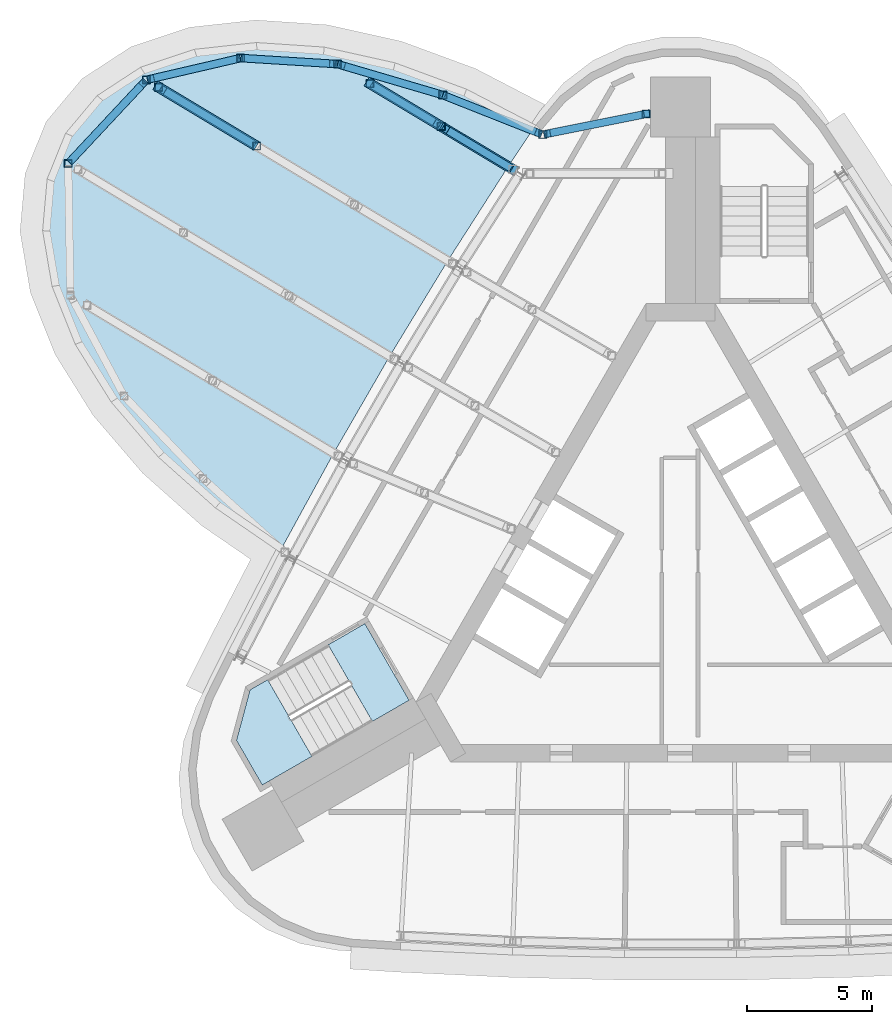
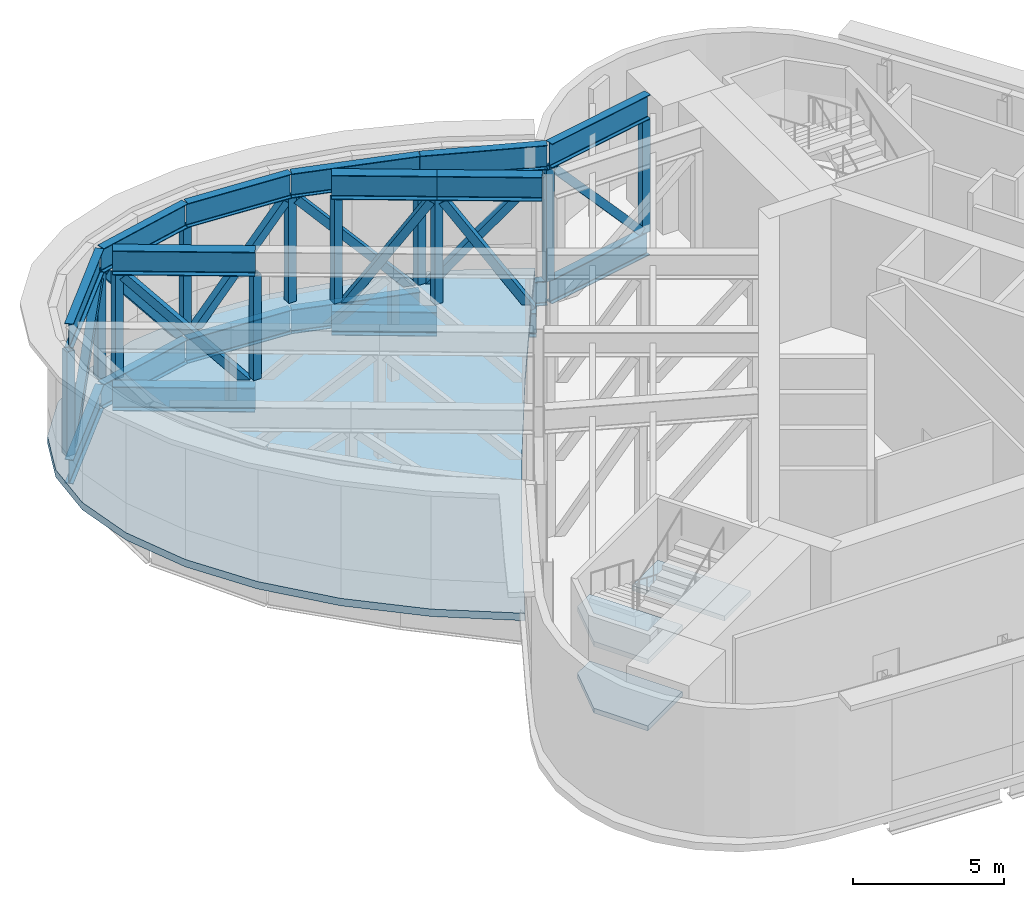
# One storey, part 5 of 11: 38 members, 4 slabs, 1 element without a shape of its own.
"""IFC4 building model written with IfcOpenShell, lengths in metres."""

from ifc_helpers import new_model, si_unit, direction, frame, origin, origin_2d, place, context, subcontext, project, spatial, polyline, hollow_rectangle, i_section, outline, extrude, material, layer, layer_set, material_profile, profile_set, type_object, element, aggregate, save


model = new_model("IFC4")

# Units and contexts
model_context = context("Model", 3, precision=1e-05, world=origin(), true_north=direction((0.0, 1.0)))
body_context = subcontext(model_context, "Body", "Model", "MODEL_VIEW")
ifc_project = project(units=[si_unit("LENGTHUNIT", "METRE"), si_unit("AREAUNIT", "SQUARE_METRE"), si_unit("VOLUMEUNIT", "CUBIC_METRE"), si_unit("PLANEANGLEUNIT", "RADIAN"), si_unit("MASSUNIT", "GRAM", prefix="KILO")], contexts=[model_context])

# Site, building, storey
site_placement = place(None, origin())
site = spatial("IfcSite", under=ifc_project, at=site_placement, CompositionType="ELEMENT")
building_placement = place(site_placement, origin())
building = spatial("IfcBuilding", under=site, at=building_placement, Name="Noor Cloister Tower", CompositionType="ELEMENT")
storey_placement = place(building_placement, frame((0.0, 0.0, 258.0)))
storey = spatial("IfcBuildingStorey", under=building, at=storey_placement, Name="L66", CompositionType="ELEMENT", Elevation=258.0)

# Members
ifc_material_1 = material(Name="Steel ASTM A992 Gr 50", Category="steel")
ifc_material_profile_1 = material_profile(ifc_material_1, i_section(OverallWidth=0.300048828125, OverallDepth=0.97998046875, WebThickness=0.0166015625, FlangeThickness=0.026123046875, FilletRadius=0.02978515625, at=origin_2d()), Name="W1000x249")
ifc_profile_set_1 = profile_set([ifc_material_profile_1], Name="Steel ASTM A992 Gr 50")
member_type_1 = type_object("IfcMemberType", Name="Pod ring chord W1000x249", PredefinedType="CHORD", material=ifc_profile_set_1)
member_1_placement = place(storey_placement, frame((-1.25439453125, 19.083984375, -0.7900390625), z_axis=(-0.98055019888, -0.196268457672, 0.0), x_axis=(0.196268457672, -0.98055019888, 0.0)))
element("IfcMember", 1, at=member_1_placement, inside=storey, type_object=member_type_1, Name="Pod truss 5 bottom chord ring 1", PredefinedType="CHORD", context=body_context, shape_type="SweptSolid", body=[
    extrude(i_section(OverallWidth=0.300048828125, OverallDepth=0.97998046875, WebThickness=0.0166015625, FlangeThickness=0.026123046875, FilletRadius=0.02978515625, at=origin_2d()), origin(), (0.0, 0.0, 1.0), 4.315185546875),
])
member_2_placement = place(storey_placement, frame((-1.2294921875, 19.0888671875, 4.7099609375), z_axis=(-0.980554706926, -0.196245934289, 0.0), x_axis=(0.196245934289, -0.980554706926, 0.0)))
element("IfcMember", 2, at=member_2_placement, inside=storey, type_object=member_type_1, Name="Pod truss 5 top chord ring 1", PredefinedType="CHORD", context=body_context, shape_type="SweptSolid", body=[
    extrude(i_section(OverallWidth=0.300048828125, OverallDepth=0.97998046875, WebThickness=0.0166015625, FlangeThickness=0.026123046875, FilletRadius=0.02978515625, at=origin_2d()), origin(), (0.0, 0.0, 1.0), 4.340576171875),
])
for number, where, z_axis, x_axis, name in (
    (3, (-5.570556640625, 18.24462890625, -0.7900390625), (-0.92975961676, 0.368167156387, 0.0), (-0.368167156387, -0.92975961676, 0.0), "Pod truss 5 bottom chord ring 2"),
    (4, (-5.570556640625, 18.24462890625, 4.7099609375), (-0.92975961676, 0.368167156387, 0.0), (-0.368167156387, -0.92975961676, 0.0), "Pod truss 5 top chord ring 2"),
):
    element("IfcMember", number, at=place(storey_placement, frame(where, z_axis=z_axis, x_axis=x_axis)), inside=storey, type_object=member_type_1, Name=name, PredefinedType="CHORD", context=body_context, shape_type="SweptSolid", body=[
        extrude(i_section(OverallWidth=0.300048828125, OverallDepth=0.97998046875, WebThickness=0.0166015625, FlangeThickness=0.026123046875, FilletRadius=0.02978515625, at=origin_2d()), origin(), (0.0, 0.0, 1.0), 4.260009765625),
    ])
for number, where, z_axis, x_axis, name in (
    (5, (-9.54443359375, 19.817626953125, -0.7900390625), (-0.959438233201, 0.281918918613, 0.0), (-0.281918918613, -0.959438233201, 0.0), "Pod truss 5 bottom chord ring 3"),
    (6, (-9.54443359375, 19.817626953125, 4.7099609375), (-0.959438233201, 0.281918918613, 0.0), (-0.281918918613, -0.959438233201, 0.0), "Pod truss 5 top chord ring 3"),
):
    element("IfcMember", number, at=place(storey_placement, frame(where, z_axis=z_axis, x_axis=x_axis)), inside=storey, type_object=member_type_1, Name=name, PredefinedType="CHORD", context=body_context, shape_type="SweptSolid", body=[
        extrude(i_section(OverallWidth=0.300048828125, OverallDepth=0.97998046875, WebThickness=0.0166015625, FlangeThickness=0.026123046875, FilletRadius=0.02978515625, at=origin_2d()), origin(), (0.0, 0.0, 1.0), 4.381103515625),
    ])
for number, where, z_axis, x_axis, name in (
    (7, (-13.781005859375, 21.058349609375, -0.7900390625), (-0.998057512418, 0.062299292982, 0.0), (-0.062299292982, -0.998057512418, 0.0), "Pod truss 5 bottom chord ring 4"),
    (8, (-13.781005859375, 21.058349609375, 4.7099609375), (-0.998057512418, 0.062299292982, 0.0), (-0.062299292982, -0.998057512418, 0.0), "Pod truss 5 top chord ring 4"),
):
    element("IfcMember", number, at=place(storey_placement, frame(where, z_axis=z_axis, x_axis=x_axis)), inside=storey, type_object=member_type_1, Name=name, PredefinedType="CHORD", context=body_context, shape_type="SweptSolid", body=[
        extrude(i_section(OverallWidth=0.300048828125, OverallDepth=0.97998046875, WebThickness=0.0166015625, FlangeThickness=0.026123046875, FilletRadius=0.02978515625, at=origin_2d()), origin(), (0.0, 0.0, 1.0), 3.848388671875),
    ])
for number, where, z_axis, x_axis, name in (
    (9, (-17.665283203125, 21.29443359375, -0.7900390625), (-0.974153316105, -0.225887841023, 0.0), (0.225887841023, -0.974153316105, 0.0), "Pod truss 5 bottom chord ring 5"),
    (10, (-17.665283203125, 21.29443359375, 4.7099609375), (-0.974153316105, -0.225887841023, 0.0), (0.225887841023, -0.974153316105, 0.0), "Pod truss 5 top chord ring 5"),
):
    element("IfcMember", number, at=place(storey_placement, frame(where, z_axis=z_axis, x_axis=x_axis)), inside=storey, type_object=member_type_1, Name=name, PredefinedType="CHORD", context=body_context, shape_type="SweptSolid", body=[
        extrude(i_section(OverallWidth=0.300048828125, OverallDepth=0.97998046875, WebThickness=0.0166015625, FlangeThickness=0.026123046875, FilletRadius=0.02978515625, at=origin_2d()), origin(), (0.0, 0.0, 1.0), 3.814208984375),
    ])
for number, where, z_axis, x_axis, name in (
    (11, (-21.456787109375, 20.38916015625, -0.7900390625), (-0.68301845081, -0.730401119832, 0.0), (0.730401119832, -0.68301845081, 0.0), "Pod truss 5 bottom chord ring 6"),
    (12, (-21.456787109375, 20.38916015625, 4.7099609375), (-0.68301845081, -0.730401119832, 0.0), (0.730401119832, -0.68301845081, 0.0), "Pod truss 5 top chord ring 6"),
):
    element("IfcMember", number, at=place(storey_placement, frame(where, z_axis=z_axis, x_axis=x_axis)), inside=storey, type_object=member_type_1, Name=name, PredefinedType="CHORD", context=body_context, shape_type="SweptSolid", body=[
        extrude(i_section(OverallWidth=0.300048828125, OverallDepth=0.97998046875, WebThickness=0.0166015625, FlangeThickness=0.026123046875, FilletRadius=0.02978515625, at=origin_2d()), origin(), (0.0, 0.0, 1.0), 4.482666015625),
    ])
ifc_material_2 = material(Name="Steel ASTM A992 Gr 50", Category="steel")
ifc_material_profile_2 = material_profile(ifc_material_2, i_section(OverallWidth=0.40087890625, OverallDepth=0.98291015625, WebThickness=0.0166015625, FlangeThickness=0.027099609375, FilletRadius=0.030029296875, at=origin_2d()), Name="W1000x296")
ifc_profile_set_2 = profile_set([ifc_material_profile_2], Name="Steel ASTM A992 Gr 50")
member_type_2 = type_object("IfcMemberType", Name="Pod truss chord W1000x296", PredefinedType="CHORD", material=ifc_profile_set_2)
member_3_placement = place(storey_placement, frame((-6.76025390625, 16.8564453125, -0.79150390625), z_axis=(-0.857564535203, 0.514376387446, 0.0), x_axis=(-0.514376387446, -0.857564535203, 0.0)))
element("IfcMember", 13, at=member_3_placement, inside=storey, type_object=member_type_2, Name="Pod truss 5 bottom chord line 1 cantilever 1", PredefinedType="CHORD", context=body_context, shape_type="SweptSolid", body=[
    extrude(i_section(OverallWidth=0.40087890625, OverallDepth=0.98291015625, WebThickness=0.0166015625, FlangeThickness=0.027099609375, FilletRadius=0.030029296875, at=origin_2d()), origin(), (0.0, 0.0, 1.0), 3.30859375),
])
member_4_placement = place(storey_placement, frame((-6.60302734375, 16.76220703125, 4.70849609375), z_axis=(-0.857573111513, 0.514362088815, 0.0), x_axis=(-0.514362088815, -0.857573111513, 0.0)))
element("IfcMember", 14, at=member_4_placement, inside=storey, type_object=member_type_2, Name="Pod truss 5 top chord line 1 cantilever 1", PredefinedType="CHORD", context=body_context, shape_type="SweptSolid", body=[
    extrude(i_section(OverallWidth=0.40087890625, OverallDepth=0.98291015625, WebThickness=0.0166015625, FlangeThickness=0.027099609375, FilletRadius=0.030029296875, at=origin_2d()), origin(), (0.0, 0.0, 1.0), 3.491943359375),
])
for number, where, z_axis, x_axis, name in (
    (15, (-9.59765625, 18.558349609375, -0.79150390625), (-0.857560770085, 0.514382664571, 0.0), (-0.514382664571, -0.857560770085, 0.0), "Pod truss 5 bottom chord line 1 cantilever 2"),
    (16, (-9.59765625, 18.558349609375, 4.70849609375), (-0.857560770085, 0.514382664571, 0.0), (-0.514382664571, -0.857560770085, 0.0), "Pod truss 5 top chord line 1 cantilever 2"),
):
    element("IfcMember", number, at=place(storey_placement, frame(where, z_axis=z_axis, x_axis=x_axis)), inside=storey, type_object=member_type_2, Name=name, PredefinedType="CHORD", context=body_context, shape_type="SweptSolid", body=[
        extrude(i_section(OverallWidth=0.40087890625, OverallDepth=0.98291015625, WebThickness=0.0166015625, FlangeThickness=0.027099609375, FilletRadius=0.030029296875, at=origin_2d()), origin(), (0.0, 0.0, 1.0), 3.492431640625),
    ])
for number, where, z_axis, x_axis, name in (
    (17, (-17.0048828125, 17.771240234375, -0.79150390625), (-0.857583970254, 0.514343984085, 0.0), (-0.514343984085, -0.857583970254, 0.0), "Pod truss 5 bottom chord line 2 cantilever 3"),
    (18, (-17.0048828125, 17.771240234375, 4.70849609375), (-0.857583970254, 0.514343984085, 0.0), (-0.514343984085, -0.857583970254, 0.0), "Pod truss 5 top chord line 2 cantilever 3"),
):
    element("IfcMember", number, at=place(storey_placement, frame(where, z_axis=z_axis, x_axis=x_axis)), inside=storey, type_object=member_type_2, Name=name, PredefinedType="CHORD", context=body_context, shape_type="SweptSolid", body=[
        extrude(i_section(OverallWidth=0.40087890625, OverallDepth=0.98291015625, WebThickness=0.0166015625, FlangeThickness=0.027099609375, FilletRadius=0.030029296875, at=origin_2d()), origin(), (0.0, 0.0, 1.0), 4.7314453125),
    ])
ifc_material_3 = material(Name="Steel ASTM A500 Gr C", Category="steel")
ifc_material_profile_3 = material_profile(ifc_material_3, hollow_rectangle(XDim=0.304931640625, YDim=0.304931640625, WallThickness=0.0126953125, at=origin_2d()), Name="HSS304.8x304.8x12.7")
ifc_profile_set_3 = profile_set([ifc_material_profile_3], Name="Steel ASTM A500 Gr C")
member_type_3 = type_object("IfcMemberType", Name="Pod truss diagonal HSS304.8x304.8x12.7", PredefinedType="BRACE", material=ifc_profile_set_3)
member_5_placement = place(storey_placement, frame((-1.572509765625, 19.020263671875, -0.19873046875), z_axis=(-0.651433504334, -0.130388137343, 0.747417770106), x_axis=(0.196262944768, -0.980551302335, 0.0)))
element("IfcMember", 19, at=member_5_placement, inside=storey, type_object=member_type_3, Name="Pod truss 5 diagonal ring 1", PredefinedType="BRACE", context=body_context, shape_type="SweptSolid", body=[
    extrude(hollow_rectangle(XDim=0.304931640625, YDim=0.304931640625, WallThickness=0.0126953125, at=origin_2d()), origin(), (0.0, 0.0, 1.0), 5.7763671875),
])
member_6_placement = place(storey_placement, frame((-5.712890625, 18.301025390625, 4.117431640625), z_axis=(-0.624854959357, 0.247444910149, -0.740491253297), x_axis=(-0.368185433275, -0.929752379252, 0.0)))
element("IfcMember", 20, at=member_6_placement, inside=storey, type_object=member_type_3, Name="Pod truss 5 diagonal ring 2", PredefinedType="BRACE", context=body_context, shape_type="SweptSolid", body=[
    extrude(hollow_rectangle(XDim=0.304931640625, YDim=0.304931640625, WallThickness=0.0126953125, at=origin_2d()), origin(), (0.0, 0.0, 1.0), 5.8271484375),
])
member_7_placement = place(storey_placement, frame((-9.727294921875, 19.871337890625, -0.196044921875), z_axis=(-0.653339977829, 0.191963707155, 0.732322885417), x_axis=(-0.281902602872, -0.959443027227, 0.0)))
element("IfcMember", 21, at=member_7_placement, inside=storey, type_object=member_type_3, Name="Pod truss 5 diagonal ring 3", PredefinedType="BRACE", context=body_context, shape_type="SweptSolid", body=[
    extrude(hollow_rectangle(XDim=0.304931640625, YDim=0.304931640625, WallThickness=0.0126953125, at=origin_2d()), origin(), (0.0, 0.0, 1.0), 5.888427734375),
])
member_8_placement = place(storey_placement, frame((-13.961181640625, 21.06982421875, 4.124267578125), z_axis=(-0.626704190832, 0.039067502265, -0.778277320407), x_axis=(-0.06221725437, -0.998062629928, 0.0)))
element("IfcMember", 22, at=member_8_placement, inside=storey, type_object=member_type_3, Name="Pod truss 5 diagonal ring 4", PredefinedType="BRACE", context=body_context, shape_type="SweptSolid", body=[
    extrude(hollow_rectangle(XDim=0.304931640625, YDim=0.304931640625, WallThickness=0.0126953125, at=origin_2d()), origin(), (0.0, 0.0, 1.0), 5.561767578125),
])
member_9_placement = place(storey_placement, frame((-17.836181640625, 21.2548828125, -0.204345703125), z_axis=(-0.611106587114, -0.141696963274, 0.778762293505), x_axis=(0.22587700042, -0.974155829773, 0.0)))
element("IfcMember", 23, at=member_9_placement, inside=storey, type_object=member_type_3, Name="Pod truss 5 diagonal ring 5", PredefinedType="BRACE", context=body_context, shape_type="SweptSolid", body=[
    extrude(hollow_rectangle(XDim=0.304931640625, YDim=0.304931640625, WallThickness=0.0126953125, at=origin_2d()), origin(), (0.0, 0.0, 1.0), 5.558349609375),
])
member_10_placement = place(storey_placement, frame((-21.560302734375, 20.2783203125, 4.113525390625), z_axis=(-0.476543481441, -0.509558381349, -0.716419267115), x_axis=(0.730371635347, -0.683049979343, 0.0)))
element("IfcMember", 24, at=member_10_placement, inside=storey, type_object=member_type_3, Name="Pod truss 5 diagonal ring 6", PredefinedType="BRACE", context=body_context, shape_type="SweptSolid", body=[
    extrude(hollow_rectangle(XDim=0.304931640625, YDim=0.304931640625, WallThickness=0.0126953125, at=origin_2d()), origin(), (0.0, 0.0, 1.0), 6.011962890625),
])
for number, where, z_axis, x_axis, name in (
    (25, (-6.903076171875, 16.942138671875, -0.21435546875), (-0.481039971984, 0.288540267445, 0.827855699634), (-0.514386014751, -0.857558760569, 0.0), "Pod truss 5 diagonal line 1 cantilever 1"),
    (26, (-9.76708984375, 18.659912109375, 4.13134765625), (-0.481039971984, 0.288540267445, -0.827855699634), (-0.514386014751, -0.857558760569, 0.0), "Pod truss 5 diagonal line 1 cantilever 2"),
):
    element("IfcMember", number, at=place(storey_placement, frame(where, z_axis=z_axis, x_axis=x_axis)), inside=storey, type_object=member_type_3, Name=name, PredefinedType="BRACE", context=body_context, shape_type="SweptSolid", body=[
        extrude(hollow_rectangle(XDim=0.304931640625, YDim=0.304931640625, WallThickness=0.0126953125, at=origin_2d()), origin(), (0.0, 0.0, 1.0), 5.249267578125),
    ])
member_11_placement = place(storey_placement, frame((-17.17431640625, 17.872802734375, -0.193603515625), z_axis=(-0.597727601525, 0.358530811612, 0.717061623223), x_axis=(-0.514384193326, -0.857559853104, 0.0)))
element("IfcMember", 27, at=member_11_placement, inside=storey, type_object=member_type_3, Name="Pod truss 5 diagonal line 2 cantilever 3", PredefinedType="BRACE", context=body_context, shape_type="SweptSolid", body=[
    extrude(hollow_rectangle(XDim=0.304931640625, YDim=0.304931640625, WallThickness=0.0126953125, at=origin_2d()), origin(), (0.0, 0.0, 1.0), 6.00244140625),
])
ifc_material_4 = material(Name="Steel ASTM A500 Gr C", Category="steel")
ifc_material_profile_4 = material_profile(ifc_material_4, hollow_rectangle(XDim=0.304931640625, YDim=0.304931640625, WallThickness=0.0126953125, at=origin_2d()), Name="HSS304.8x304.8x12.7")
ifc_profile_set_4 = profile_set([ifc_material_profile_4], Name="Steel ASTM A500 Gr C")
member_type_4 = type_object("IfcMemberType", Name="Pod truss post HSS304.8x304.8x12.7", PredefinedType="POST", material=ifc_profile_set_4)
for number, where, z_axis, x_axis, name in (
    (28, (-1.37890625, 19.05908203125, -0.300048828125), (0.0, 0.0, 1.0), (1.0, 0.0, 0.0), "Pod truss 5 post ring node 0"),
    (29, (-5.529296875, 18.228271484375, -0.300048828125), (0.0, 0.0, 1.0), (1.0, 0.0, 0.0), "Pod truss 5 post ring node 1"),
    (30, (-9.53759765625, 19.815673828125, -0.300048828125), (0.0, 0.0, 1.0), (1.0, 0.0, 0.0), "Pod truss 5 post ring node 2"),
    (31, (-13.76416015625, 21.057373046875, -0.300048828125), (0.0, 0.0, 1.0), (1.0, 0.0, 0.0), "Pod truss 5 post ring node 3"),
    (32, (-17.643798828125, 21.299560546875, -0.300048828125), (0.0, 0.0, 1.0), (1.0, 0.0, 0.0), "Pod truss 5 post ring node 4"),
    (33, (-21.425537109375, 20.422607421875, -0.300048828125), (0.0, 0.0, 1.0), (1.0, 0.0, 0.0), "Pod truss 5 post ring node 5"),
    (34, (-24.56005859375, 17.070556640625, -0.300048828125), (0.0, 0.0, 1.0), (1.0, 0.0, 0.0), "Pod truss 5 post ring node 6"),
):
    element("IfcMember", number, at=place(storey_placement, frame(where, z_axis=z_axis, x_axis=x_axis)), inside=storey, type_object=member_type_4, Name=name, PredefinedType="POST", context=body_context, shape_type="SweptSolid", body=[
        extrude(hollow_rectangle(XDim=0.304931640625, YDim=0.304931640625, WallThickness=0.0126953125, at=origin_2d()), origin(), (0.0, 0.0, 1.0), 4.52001953125),
    ])
for number, where, z_axis, x_axis, name in (
    (35, (-9.59765625, 18.558349609375, -0.300048828125), (0.0, 0.0, 1.0), (1.0, 0.0, 0.0), "Pod truss 5 post line 1 cantilever 2"),
    (36, (-12.461669921875, 20.276123046875, -0.300048828125), (0.0, 0.0, 1.0), (1.0, 0.0, 0.0), "Pod truss 5 post line 1 cantilever 3"),
    (37, (-17.0048828125, 17.771240234375, -0.300048828125), (0.0, 0.0, 1.0), (1.0, 0.0, 0.0), "Pod truss 5 post line 2 cantilever 3"),
    (38, (-20.931640625, 20.12646484375, -0.300048828125), (0.0, 0.0, 1.0), (1.0, 0.0, 0.0), "Pod truss 5 post line 2 cantilever 4"),
):
    element("IfcMember", number, at=place(storey_placement, frame(where, z_axis=z_axis, x_axis=x_axis)), inside=storey, type_object=member_type_4, Name=name, PredefinedType="POST", context=body_context, shape_type="SweptSolid", body=[
        extrude(hollow_rectangle(XDim=0.304931640625, YDim=0.304931640625, WallThickness=0.0126953125, at=origin_2d()), origin(), (0.0, 0.0, 1.0), 4.51708984375),
    ])

# Slab
ifc_material_5 = material(Name="Concrete C40/50", Category="concrete")
ifc_layer_1 = layer(ifc_material_5, 0.300048828125)
ifc_layer_set_1 = layer_set([ifc_layer_1], Name="Pod floor slab 300")
slab_type_1 = type_object("IfcSlabType", Name="Pod floor slab 300", PredefinedType="FLOOR", material=ifc_layer_set_1)
slab_1_placement = place(storey_placement, frame((0.0, 0.0, -0.300048828125)))
element("IfcSlab", 39, at=slab_1_placement, inside=storey, type_object=slab_type_1, Name="Pod floor slab L66", PredefinedType="FLOOR", context=body_context, shape_type="SweptSolid", body=[
    extrude(outline(polyline([(-5.809814453125, 18.609619140625), (-8.585205078125, 20.05078125), (-11.451416015625, 21.107421875), (-14.298095703125, 21.7392578125), (-17.015869140625, 21.921875), (-19.500244140625, 21.6484375), (-21.65576171875, 20.928955078125), (-23.399658203125, 19.79150390625), (-24.6650390625, 18.27978515625), (-25.403076171875, 16.45166015625), (-25.58544921875, 14.377685546875), (-25.205078125, 12.13720703125), (-24.276611328125, 9.816650390625), (-22.8359375, 7.5048828125), (-20.938232421875, 5.291015625), (-18.65625, 3.260009765625), (-16.078125, 1.489990234375), (-13.919189453125, 5.438232421875), (-11.669189453125, 9.335205078125), (-9.32958984375, 13.178955078125), (-6.9013671875, 16.967529296875), (-5.809814453125, 18.609619140625)])), origin(), (0.0, 0.0, 1.0), 0.300048828125),
])

# Stair, slabs
ifc_material_6 = material(Name="Concrete C40/50", Category="concrete")
stair_type = type_object("IfcStairType", Name="Exit stair 32 risers", PredefinedType="HALF_TURN_STAIR", material=ifc_material_6)
stair_placement = place(storey_placement, origin())
stair = element("IfcStair", 40, at=stair_placement, inside=storey, type_object=stair_type, Name="Exit stair ST2 L66", PredefinedType="HALF_TURN_STAIR")
ifc_material_7 = material(Name="Concrete C40/50", Category="concrete")
ifc_layer_2 = layer(ifc_material_7, 0.199951171875)
ifc_layer_set_2 = layer_set([ifc_layer_2], Name="Stair landing 200 C40/50")
slab_type_2 = type_object("IfcSlabType", Name="Stair landing 200 C40/50", PredefinedType="LANDING", material=ifc_layer_set_2)
slab_2_placement = place(storey_placement, frame((0.0, 0.0, 1.14990234375)))
slab_2 = element("IfcSlab", 41, at=slab_2_placement, type_object=slab_type_2, Name="ST2 landing 1", PredefinedType="LANDING", context=body_context, shape_type="SweptSolid", body=[
    extrude(outline(polyline([(-16.55908203125, -3.63037109375), (-17.267333984375, -4.039306640625), (-17.81005859375, -6.064697265625), (-16.776611328125, -7.85498046875), (-14.7841796875, -6.70458984375), (-16.55908203125, -3.63037109375)])), origin(), (0.0, 0.0, 1.0), 0.2001953125),
])
slab_3_placement = place(storey_placement, frame((0.0, 0.0, 2.5)))
slab_3 = element("IfcSlab", 42, at=slab_3_placement, type_object=slab_type_2, Name="ST2 landing 2", PredefinedType="LANDING", context=body_context, shape_type="SweptSolid", body=[
    extrude(outline(polyline([(-12.3603515625, -5.305419921875), (-10.8876953125, -4.455078125), (-12.66259765625, -1.380615234375), (-14.13525390625, -2.23095703125), (-12.3603515625, -5.305419921875)])), origin(), (0.0, 0.0, 1.0), 0.199951171875),
])
slab_4_placement = place(storey_placement, frame((0.0, 0.0, 3.85009765625)))
slab_4 = element("IfcSlab", 43, at=slab_4_placement, type_object=slab_type_2, Name="ST2 landing 3", PredefinedType="LANDING", context=body_context, shape_type="SweptSolid", body=[
    extrude(outline(polyline([(-16.55908203125, -3.63037109375), (-17.267333984375, -4.039306640625), (-17.81005859375, -6.064697265625), (-16.776611328125, -7.85498046875), (-14.7841796875, -6.70458984375), (-16.55908203125, -3.63037109375)])), origin(), (0.0, 0.0, 1.0), 0.199951171875),
])
aggregate(stair, [slab_2, slab_3, slab_4])

save(model, "model.ifc")
